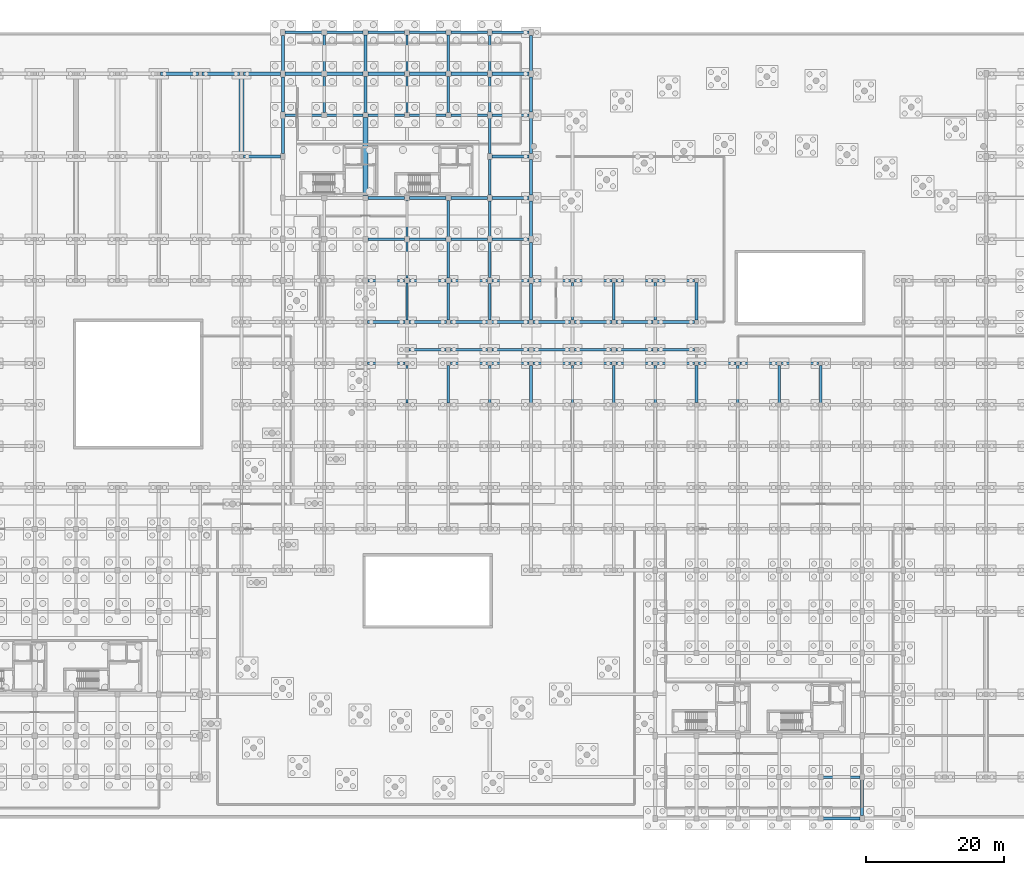
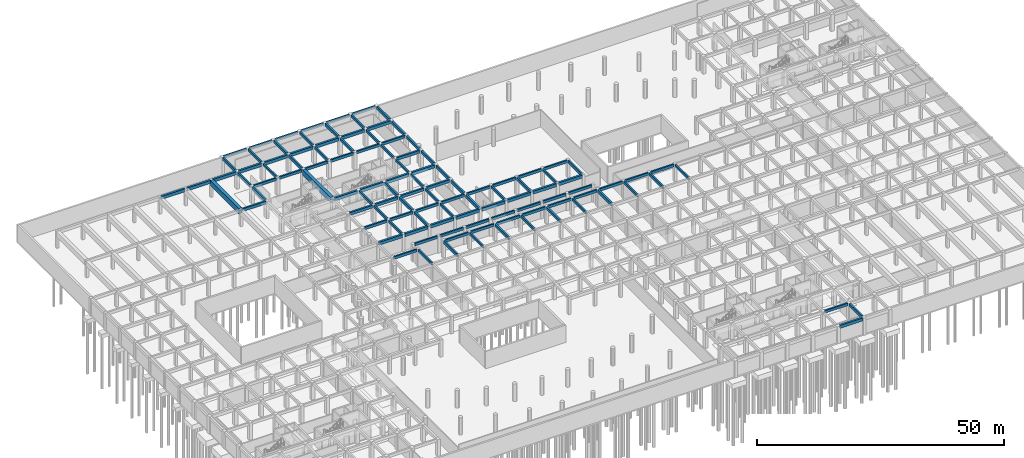
# One storey, part 19 of 41: 115 beams.
"""IFC4 building model written with IfcOpenShell, lengths in metres."""

from ifc_helpers import new_model, si_unit, direction, frame, origin, origin_2d, place, context, subcontext, project, spatial, rectangle, extrude, material, material_profile, profile_set, type_object, element, save


model = new_model("IFC4")

# Units and contexts
model_context = context("Model", 3, precision=1e-05, world=origin(), true_north=direction((0.0, 1.0)))
body_context = subcontext(model_context, "Body", "Model", "MODEL_VIEW")
ifc_project = project(units=[si_unit("LENGTHUNIT", "METRE"), si_unit("AREAUNIT", "SQUARE_METRE"), si_unit("VOLUMEUNIT", "CUBIC_METRE"), si_unit("PLANEANGLEUNIT", "RADIAN"), si_unit("MASSUNIT", "GRAM", prefix="KILO"), si_unit("POWERUNIT", "WATT"), si_unit("THERMODYNAMICTEMPERATUREUNIT", "KELVIN")], contexts=[model_context])

# Site, building, storey
site_placement = place(None, origin())
site = spatial("IfcSite", under=ifc_project, at=site_placement, CompositionType="ELEMENT")
building_placement = place(site_placement, origin())
building = spatial("IfcBuilding", under=site, at=building_placement, Name="Ruvembo Vaulted Housing Court", CompositionType="ELEMENT")
storey_placement = place(building_placement, frame((0.0, 0.0, -4.5)))
storey = spatial("IfcBuildingStorey", under=building, at=storey_placement, Name="B1", CompositionType="ELEMENT", Elevation=-4.5)

# Beams
ifc_material_1 = material(Name="Concrete C35/45", Category="concrete")
ifc_material_profile_1 = material_profile(ifc_material_1, rectangle(XDim=0.35009765625, YDim=0.60009765625, at=origin_2d()), Name="RC 350x600")
ifc_profile_set_1 = profile_set([ifc_material_profile_1], Name="Concrete C35/45")
beam_type_1 = type_object("IfcBeamType", Name="BM-RC-350x600", PredefinedType="BEAM", material=ifc_profile_set_1)
for number, where, z_axis, x_axis, name in (
    (1, (54.0, 102.360107421875, 3.9150390625), (0.0, 1.0, 0.0), (-1.0, 0.0, 0.0), "B1 Grid Beam Y #486"),
    (2, (54.0, 108.360107421875, 3.9150390625), (0.0, 1.0, 0.0), (-1.0, 0.0, 0.0), "B1 Grid Beam Y #487"),
):
    element("IfcBeam", number, at=place(storey_placement, frame(where, z_axis=z_axis, x_axis=x_axis)), inside=storey, type_object=beam_type_1, Name=name, PredefinedType="BEAM", context=body_context, shape_type="SweptSolid", body=[
        extrude(rectangle(XDim=0.35009765625, YDim=0.60009765625, at=origin_2d()), origin(), (0.0, 0.0, 1.0), 5.27978515625),
    ])
beam_1_placement = place(storey_placement, frame((66.0, 60.260009765625, 3.9150390625), z_axis=(0.0, 1.0, 0.0), x_axis=(-1.0, 0.0, 0.0)))
element("IfcBeam", 3, at=beam_1_placement, inside=storey, type_object=beam_type_1, Name="B1 Grid Beam Y #502", PredefinedType="BEAM", context=body_context, shape_type="SweptSolid", body=[
    extrude(rectangle(XDim=0.35009765625, YDim=0.60009765625, at=origin_2d()), origin(), (0.0, 0.0, 1.0), 5.455078125),
])
beam_2_placement = place(storey_placement, frame((66.0, 72.284912109375, 3.9150390625), z_axis=(0.0, 1.0, 0.0), x_axis=(-1.0, 0.0, 0.0)))
element("IfcBeam", 4, at=beam_2_placement, inside=storey, type_object=beam_type_1, Name="B1 Grid Beam Y #503", PredefinedType="BEAM", context=body_context, shape_type="SweptSolid", body=[
    extrude(rectangle(XDim=0.35009765625, YDim=0.60009765625, at=origin_2d()), origin(), (0.0, 0.0, 1.0), 5.35498046875),
])
for number, where, z_axis, x_axis, name in (
    (5, (66.0, 78.360107421875, 3.9150390625), (0.0, 1.0, 0.0), (-1.0, 0.0, 0.0), "B1 Grid Beam Y #504"),
    (6, (66.0, 84.360107421875, 3.9150390625), (0.0, 1.0, 0.0), (-1.0, 0.0, 0.0), "B1 Grid Beam Y #505"),
    (7, (66.0, 102.360107421875, 3.9150390625), (0.0, 1.0, 0.0), (-1.0, 0.0, 0.0), "B1 Grid Beam Y #506"),
    (8, (66.0, 108.360107421875, 3.9150390625), (0.0, 1.0, 0.0), (-1.0, 0.0, 0.0), "B1 Grid Beam Y #507"),
):
    element("IfcBeam", number, at=place(storey_placement, frame(where, z_axis=z_axis, x_axis=x_axis)), inside=storey, type_object=beam_type_1, Name=name, PredefinedType="BEAM", context=body_context, shape_type="SweptSolid", body=[
        extrude(rectangle(XDim=0.35009765625, YDim=0.60009765625, at=origin_2d()), origin(), (0.0, 0.0, 1.0), 5.27978515625),
    ])
beam_3_placement = place(storey_placement, frame((78.0, 60.284912109375, 3.9150390625), z_axis=(0.0, 1.0, 0.0), x_axis=(-1.0, 0.0, 0.0)))
element("IfcBeam", 9, at=beam_3_placement, inside=storey, type_object=beam_type_1, Name="B1 Grid Beam Y #520", PredefinedType="BEAM", context=body_context, shape_type="SweptSolid", body=[
    extrude(rectangle(XDim=0.35009765625, YDim=0.60009765625, at=origin_2d()), origin(), (0.0, 0.0, 1.0), 5.43017578125),
])
beam_4_placement = place(storey_placement, frame((78.0, 72.284912109375, 3.9150390625), z_axis=(0.0, 1.0, 0.0), x_axis=(-1.0, 0.0, 0.0)))
element("IfcBeam", 10, at=beam_4_placement, inside=storey, type_object=beam_type_1, Name="B1 Grid Beam Y #521", PredefinedType="BEAM", context=body_context, shape_type="SweptSolid", body=[
    extrude(rectangle(XDim=0.35009765625, YDim=0.60009765625, at=origin_2d()), origin(), (0.0, 0.0, 1.0), 5.280029296875),
])
for number, where, z_axis, x_axis, name in (
    (11, (78.0, 78.43505859375, 3.9150390625), (0.0, 1.0, 0.0), (-1.0, 0.0, 0.0), "B1 Grid Beam Y #522"),
    (12, (78.0, 84.43505859375, 3.9150390625), (0.0, 1.0, 0.0), (-1.0, 0.0, 0.0), "B1 Grid Beam Y #523"),
    (13, (78.0, 90.43505859375, 3.9150390625), (0.0, 1.0, 0.0), (-1.0, 0.0, 0.0), "B1 Grid Beam Y #524"),
    (14, (78.0, 96.43505859375, 3.9150390625), (0.0, 1.0, 0.0), (-1.0, 0.0, 0.0), "B1 Grid Beam Y #525"),
    (15, (78.0, 102.43505859375, 3.9150390625), (0.0, 1.0, 0.0), (-1.0, 0.0, 0.0), "B1 Grid Beam Y #526"),
    (16, (78.0, 108.43505859375, 3.9150390625), (0.0, 1.0, 0.0), (-1.0, 0.0, 0.0), "B1 Grid Beam Y #527"),
):
    element("IfcBeam", number, at=place(storey_placement, frame(where, z_axis=z_axis, x_axis=x_axis)), inside=storey, type_object=beam_type_1, Name=name, PredefinedType="BEAM", context=body_context, shape_type="SweptSolid", body=[
        extrude(rectangle(XDim=0.35009765625, YDim=0.60009765625, at=origin_2d()), origin(), (0.0, 0.0, 1.0), 5.1298828125),
    ])
for number, where, z_axis, x_axis, name in (
    (17, (90.0, 60.284912109375, 3.9150390625), (0.0, 1.0, 0.0), (-1.0, 0.0, 0.0), "B1 Grid Beam Y #544"),
    (18, (90.0, 72.284912109375, 3.9150390625), (0.0, 1.0, 0.0), (-1.0, 0.0, 0.0), "B1 Grid Beam Y #545"),
    (19, (102.0, 60.284912109375, 3.9150390625), (0.0, 1.0, 0.0), (-1.0, 0.0, 0.0), "B1 Grid Beam Y #562"),
    (20, (102.0, 72.284912109375, 3.9150390625), (0.0, 1.0, 0.0), (-1.0, 0.0, 0.0), "B1 Grid Beam Y #563"),
    (21, (114.0, 60.284912109375, 3.9150390625), (0.0, 1.0, 0.0), (-1.0, 0.0, 0.0), "B1 Grid Beam Y #583"),
    (22, (126.0, 60.284912109375, 3.9150390625), (0.0, 1.0, 0.0), (-1.0, 0.0, 0.0), "B1 Grid Beam Y #601"),
):
    element("IfcBeam", number, at=place(storey_placement, frame(where, z_axis=z_axis, x_axis=x_axis)), inside=storey, type_object=beam_type_1, Name=name, PredefinedType="BEAM", context=body_context, shape_type="SweptSolid", body=[
        extrude(rectangle(XDim=0.35009765625, YDim=0.60009765625, at=origin_2d()), origin(), (0.0, 0.0, 1.0), 5.43017578125),
    ])
ifc_material_profile_2 = material_profile(ifc_material_1, rectangle(XDim=0.35009765625, YDim=0.64990234375, at=origin_2d()), Name="RC 350x650")
ifc_profile_set_2 = profile_set([ifc_material_profile_2], Name="Concrete C35/45")
beam_type_2 = type_object("IfcBeamType", Name="BM-RC-350x650", PredefinedType="BEAM", material=ifc_profile_set_2)
beam_5_placement = place(storey_placement, frame((126.360107421875, 6.0, 3.889892578125), z_axis=(1.0, 0.0, 0.0), x_axis=(0.0, 1.0, 0.0)))
element("IfcBeam", 23, at=beam_5_placement, inside=storey, type_object=beam_type_2, Name="B1 Grid Beam X #17", PredefinedType="BEAM", context=body_context, shape_type="SweptSolid", body=[
    extrude(rectangle(XDim=0.35009765625, YDim=0.64990234375, at=origin_2d()), origin(), (0.0, 0.0, 1.0), 5.329833984375),
])
for number, where, z_axis, x_axis, name in (
    (24, (60.284912109375, 66.0, 3.889892578125), (1.0, 0.0, 0.0), (0.0, 1.0, 0.0), "B1 Grid Beam X #226"),
    (25, (72.284912109375, 66.0, 3.889892578125), (1.0, 0.0, 0.0), (0.0, 1.0, 0.0), "B1 Grid Beam X #227"),
    (26, (78.284912109375, 66.0, 3.889892578125), (1.0, 0.0, 0.0), (0.0, 1.0, 0.0), "B1 Grid Beam X #228"),
    (27, (84.284912109375, 66.0, 3.889892578125), (1.0, 0.0, 0.0), (0.0, 1.0, 0.0), "B1 Grid Beam X #229"),
    (28, (90.284912109375, 66.0, 3.889892578125), (1.0, 0.0, 0.0), (0.0, 1.0, 0.0), "B1 Grid Beam X #230"),
    (29, (96.284912109375, 66.0, 3.889892578125), (1.0, 0.0, 0.0), (0.0, 1.0, 0.0), "B1 Grid Beam X #231"),
    (30, (102.284912109375, 66.0, 3.889892578125), (1.0, 0.0, 0.0), (0.0, 1.0, 0.0), "B1 Grid Beam X #232"),
    (31, (108.284912109375, 66.0, 3.889892578125), (1.0, 0.0, 0.0), (0.0, 1.0, 0.0), "B1 Grid Beam X #233"),
    (32, (114.284912109375, 66.0, 3.889892578125), (1.0, 0.0, 0.0), (0.0, 1.0, 0.0), "B1 Grid Beam X #234"),
    (33, (120.284912109375, 66.0, 3.889892578125), (1.0, 0.0, 0.0), (0.0, 1.0, 0.0), "B1 Grid Beam X #235"),
):
    element("IfcBeam", number, at=place(storey_placement, frame(where, z_axis=z_axis, x_axis=x_axis)), inside=storey, type_object=beam_type_2, Name=name, PredefinedType="BEAM", context=body_context, shape_type="SweptSolid", body=[
        extrude(rectangle(XDim=0.35009765625, YDim=0.64990234375, at=origin_2d()), origin(), (0.0, 0.0, 1.0), 5.43017578125),
    ])
for number, where, z_axis, x_axis, name in (
    (34, (66.31005859375, 68.0, 3.889892578125), (1.0, 0.0, 0.0), (0.0, 1.0, 0.0), "B1 Grid Beam X #246"),
    (35, (72.31005859375, 68.0, 3.889892578125), (1.0, 0.0, 0.0), (0.0, 1.0, 0.0), "B1 Grid Beam X #247"),
    (36, (78.31005859375, 68.0, 3.889892578125), (1.0, 0.0, 0.0), (0.0, 1.0, 0.0), "B1 Grid Beam X #248"),
    (37, (84.31005859375, 68.0, 3.889892578125), (1.0, 0.0, 0.0), (0.0, 1.0, 0.0), "B1 Grid Beam X #249"),
    (38, (90.31005859375, 68.0, 3.889892578125), (1.0, 0.0, 0.0), (0.0, 1.0, 0.0), "B1 Grid Beam X #250"),
    (39, (96.31005859375, 68.0, 3.889892578125), (1.0, 0.0, 0.0), (0.0, 1.0, 0.0), "B1 Grid Beam X #251"),
    (40, (102.31005859375, 68.0, 3.889892578125), (1.0, 0.0, 0.0), (0.0, 1.0, 0.0), "B1 Grid Beam X #252"),
):
    element("IfcBeam", number, at=place(storey_placement, frame(where, z_axis=z_axis, x_axis=x_axis)), inside=storey, type_object=beam_type_2, Name=name, PredefinedType="BEAM", context=body_context, shape_type="SweptSolid", body=[
        extrude(rectangle(XDim=0.35009765625, YDim=0.64990234375, at=origin_2d()), origin(), (0.0, 0.0, 1.0), 5.3798828125),
    ])
for number, where, z_axis, x_axis, name in (
    (41, (60.360107421875, 78.0, 3.889892578125), (1.0, 0.0, 0.0), (0.0, 1.0, 0.0), "B1 Grid Beam X #284"),
    (42, (66.360107421875, 78.0, 3.889892578125), (1.0, 0.0, 0.0), (0.0, 1.0, 0.0), "B1 Grid Beam X #285"),
):
    element("IfcBeam", number, at=place(storey_placement, frame(where, z_axis=z_axis, x_axis=x_axis)), inside=storey, type_object=beam_type_2, Name=name, PredefinedType="BEAM", context=body_context, shape_type="SweptSolid", body=[
        extrude(rectangle(XDim=0.35009765625, YDim=0.64990234375, at=origin_2d()), origin(), (0.0, 0.0, 1.0), 5.27978515625),
    ])
beam_6_placement = place(storey_placement, frame((72.360107421875, 78.0, 3.889892578125), z_axis=(1.0, 0.0, 0.0), x_axis=(0.0, 1.0, 0.0)))
element("IfcBeam", 43, at=beam_6_placement, inside=storey, type_object=beam_type_2, Name="B1 Grid Beam X #286", PredefinedType="BEAM", context=body_context, shape_type="SweptSolid", body=[
    extrude(rectangle(XDim=0.35009765625, YDim=0.64990234375, at=origin_2d()), origin(), (0.0, 0.0, 1.0), 5.329833984375),
])
beam_7_placement = place(storey_placement, frame((78.31005859375, 78.0, 3.889892578125), z_axis=(1.0, 0.0, 0.0), x_axis=(0.0, 1.0, 0.0)))
element("IfcBeam", 44, at=beam_7_placement, inside=storey, type_object=beam_type_2, Name="B1 Grid Beam X #287", PredefinedType="BEAM", context=body_context, shape_type="SweptSolid", body=[
    extrude(rectangle(XDim=0.35009765625, YDim=0.64990234375, at=origin_2d()), origin(), (0.0, 0.0, 1.0), 5.3798828125),
])
beam_8_placement = place(storey_placement, frame((84.31005859375, 78.0, 3.889892578125), z_axis=(1.0, 0.0, 0.0), x_axis=(0.0, 1.0, 0.0)))
element("IfcBeam", 45, at=beam_8_placement, inside=storey, type_object=beam_type_2, Name="B1 Grid Beam X #288", PredefinedType="BEAM", context=body_context, shape_type="SweptSolid", body=[
    extrude(rectangle(XDim=0.35009765625, YDim=0.64990234375, at=origin_2d()), origin(), (0.0, 0.0, 1.0), 5.405029296875),
])
for number, where, z_axis, x_axis, name in (
    (46, (90.284912109375, 78.0, 3.889892578125), (1.0, 0.0, 0.0), (0.0, 1.0, 0.0), "B1 Grid Beam X #289"),
    (47, (96.284912109375, 78.0, 3.889892578125), (1.0, 0.0, 0.0), (0.0, 1.0, 0.0), "B1 Grid Beam X #290"),
    (48, (102.284912109375, 78.0, 3.889892578125), (1.0, 0.0, 0.0), (0.0, 1.0, 0.0), "B1 Grid Beam X #291"),
):
    element("IfcBeam", number, at=place(storey_placement, frame(where, z_axis=z_axis, x_axis=x_axis)), inside=storey, type_object=beam_type_2, Name=name, PredefinedType="BEAM", context=body_context, shape_type="SweptSolid", body=[
        extrude(rectangle(XDim=0.35009765625, YDim=0.64990234375, at=origin_2d()), origin(), (0.0, 0.0, 1.0), 5.43017578125),
    ])
beam_9_placement = place(storey_placement, frame((48.31005859375, 102.0, 3.889892578125), z_axis=(1.0, 0.0, 0.0), x_axis=(0.0, 1.0, 0.0)))
element("IfcBeam", 49, at=beam_9_placement, inside=storey, type_object=beam_type_2, Name="B1 Grid Beam X #341", PredefinedType="BEAM", context=body_context, shape_type="SweptSolid", body=[
    extrude(rectangle(XDim=0.35009765625, YDim=0.64990234375, at=origin_2d()), origin(), (0.0, 0.0, 1.0), 5.329833984375),
])
for number, where, z_axis, x_axis, name in (
    (50, (54.360107421875, 102.0, 3.889892578125), (1.0, 0.0, 0.0), (0.0, 1.0, 0.0), "B1 Grid Beam X #342"),
    (51, (60.360107421875, 102.0, 3.889892578125), (1.0, 0.0, 0.0), (0.0, 1.0, 0.0), "B1 Grid Beam X #343"),
    (52, (66.360107421875, 102.0, 3.889892578125), (1.0, 0.0, 0.0), (0.0, 1.0, 0.0), "B1 Grid Beam X #344"),
):
    element("IfcBeam", number, at=place(storey_placement, frame(where, z_axis=z_axis, x_axis=x_axis)), inside=storey, type_object=beam_type_2, Name=name, PredefinedType="BEAM", context=body_context, shape_type="SweptSolid", body=[
        extrude(rectangle(XDim=0.35009765625, YDim=0.64990234375, at=origin_2d()), origin(), (0.0, 0.0, 1.0), 5.27978515625),
    ])
beam_10_placement = place(storey_placement, frame((72.360107421875, 102.0, 3.889892578125), z_axis=(1.0, 0.0, 0.0), x_axis=(0.0, 1.0, 0.0)))
element("IfcBeam", 53, at=beam_10_placement, inside=storey, type_object=beam_type_2, Name="B1 Grid Beam X #345", PredefinedType="BEAM", context=body_context, shape_type="SweptSolid", body=[
    extrude(rectangle(XDim=0.35009765625, YDim=0.64990234375, at=origin_2d()), origin(), (0.0, 0.0, 1.0), 5.329833984375),
])
beam_11_placement = place(storey_placement, frame((78.31005859375, 102.0, 3.889892578125), z_axis=(1.0, 0.0, 0.0), x_axis=(0.0, 1.0, 0.0)))
element("IfcBeam", 54, at=beam_11_placement, inside=storey, type_object=beam_type_2, Name="B1 Grid Beam X #346", PredefinedType="BEAM", context=body_context, shape_type="SweptSolid", body=[
    extrude(rectangle(XDim=0.35009765625, YDim=0.64990234375, at=origin_2d()), origin(), (0.0, 0.0, 1.0), 5.3798828125),
])
beam_12_placement = place(storey_placement, frame((48.31005859375, 114.0, 3.889892578125), z_axis=(1.0, 0.0, 0.0), x_axis=(0.0, 1.0, 0.0)))
element("IfcBeam", 55, at=beam_12_placement, inside=storey, type_object=beam_type_2, Name="B1 Grid Beam X #372", PredefinedType="BEAM", context=body_context, shape_type="SweptSolid", body=[
    extrude(rectangle(XDim=0.35009765625, YDim=0.64990234375, at=origin_2d()), origin(), (0.0, 0.0, 1.0), 5.329833984375),
])
for number, where, z_axis, x_axis, name in (
    (56, (54.360107421875, 114.0, 3.889892578125), (1.0, 0.0, 0.0), (0.0, 1.0, 0.0), "B1 Grid Beam X #373"),
    (57, (60.360107421875, 114.0, 3.889892578125), (1.0, 0.0, 0.0), (0.0, 1.0, 0.0), "B1 Grid Beam X #374"),
    (58, (66.360107421875, 114.0, 3.889892578125), (1.0, 0.0, 0.0), (0.0, 1.0, 0.0), "B1 Grid Beam X #375"),
):
    element("IfcBeam", number, at=place(storey_placement, frame(where, z_axis=z_axis, x_axis=x_axis)), inside=storey, type_object=beam_type_2, Name=name, PredefinedType="BEAM", context=body_context, shape_type="SweptSolid", body=[
        extrude(rectangle(XDim=0.35009765625, YDim=0.64990234375, at=origin_2d()), origin(), (0.0, 0.0, 1.0), 5.27978515625),
    ])
beam_13_placement = place(storey_placement, frame((72.360107421875, 114.0, 3.889892578125), z_axis=(1.0, 0.0, 0.0), x_axis=(0.0, 1.0, 0.0)))
element("IfcBeam", 59, at=beam_13_placement, inside=storey, type_object=beam_type_2, Name="B1 Grid Beam X #376", PredefinedType="BEAM", context=body_context, shape_type="SweptSolid", body=[
    extrude(rectangle(XDim=0.35009765625, YDim=0.64990234375, at=origin_2d()), origin(), (0.0, 0.0, 1.0), 5.329833984375),
])
beam_14_placement = place(storey_placement, frame((78.31005859375, 114.0, 3.889892578125), z_axis=(1.0, 0.0, 0.0), x_axis=(0.0, 1.0, 0.0)))
element("IfcBeam", 60, at=beam_14_placement, inside=storey, type_object=beam_type_2, Name="B1 Grid Beam X #377", PredefinedType="BEAM", context=body_context, shape_type="SweptSolid", body=[
    extrude(rectangle(XDim=0.35009765625, YDim=0.64990234375, at=origin_2d()), origin(), (0.0, 0.0, 1.0), 5.3798828125),
])
ifc_material_profile_3 = material_profile(ifc_material_1, rectangle(XDim=0.39990234375, YDim=0.699951171875, at=origin_2d()), Name="RC 400x700")
ifc_profile_set_3 = profile_set([ifc_material_profile_3], Name="Concrete C35/45")
beam_type_3 = type_object("IfcBeamType", Name="BM-RC-400x700", PredefinedType="BEAM", material=ifc_profile_set_3)
for number, where, z_axis, x_axis, name in (
    (61, (60.360107421875, 84.0, 3.864990234375), (1.0, 0.0, 0.0), (0.0, 1.0, 0.0), "B1 Grid Beam X #310"),
    (62, (66.360107421875, 84.0, 3.864990234375), (1.0, 0.0, 0.0), (0.0, 1.0, 0.0), "B1 Grid Beam X #311"),
):
    element("IfcBeam", number, at=place(storey_placement, frame(where, z_axis=z_axis, x_axis=x_axis)), inside=storey, type_object=beam_type_3, Name=name, PredefinedType="BEAM", context=body_context, shape_type="SweptSolid", body=[
        extrude(rectangle(XDim=0.39990234375, YDim=0.699951171875, at=origin_2d()), origin(), (0.0, 0.0, 1.0), 5.27978515625),
    ])
beam_15_placement = place(storey_placement, frame((72.360107421875, 84.0, 3.864990234375), z_axis=(1.0, 0.0, 0.0), x_axis=(0.0, 1.0, 0.0)))
element("IfcBeam", 63, at=beam_15_placement, inside=storey, type_object=beam_type_3, Name="B1 Grid Beam X #312", PredefinedType="BEAM", context=body_context, shape_type="SweptSolid", body=[
    extrude(rectangle(XDim=0.39990234375, YDim=0.699951171875, at=origin_2d()), origin(), (0.0, 0.0, 1.0), 5.329833984375),
])
beam_16_placement = place(storey_placement, frame((78.31005859375, 84.0, 3.864990234375), z_axis=(1.0, 0.0, 0.0), x_axis=(0.0, 1.0, 0.0)))
element("IfcBeam", 64, at=beam_16_placement, inside=storey, type_object=beam_type_3, Name="B1 Grid Beam X #313", PredefinedType="BEAM", context=body_context, shape_type="SweptSolid", body=[
    extrude(rectangle(XDim=0.39990234375, YDim=0.699951171875, at=origin_2d()), origin(), (0.0, 0.0, 1.0), 5.3798828125),
])
beam_17_placement = place(storey_placement, frame((42.260009765625, 96.0, 3.864990234375), z_axis=(1.0, 0.0, 0.0), x_axis=(0.0, 1.0, 0.0)))
element("IfcBeam", 65, at=beam_17_placement, inside=storey, type_object=beam_type_3, Name="B1 Grid Beam X #333", PredefinedType="BEAM", context=body_context, shape_type="SweptSolid", body=[
    extrude(rectangle(XDim=0.39990234375, YDim=0.699951171875, at=origin_2d()), origin(), (0.0, 0.0, 1.0), 5.429931640625),
])
beam_18_placement = place(storey_placement, frame((78.31005859375, 96.0, 3.864990234375), z_axis=(1.0, 0.0, 0.0), x_axis=(0.0, 1.0, 0.0)))
element("IfcBeam", 66, at=beam_18_placement, inside=storey, type_object=beam_type_3, Name="B1 Grid Beam X #334", PredefinedType="BEAM", context=body_context, shape_type="SweptSolid", body=[
    extrude(rectangle(XDim=0.39990234375, YDim=0.699951171875, at=origin_2d()), origin(), (0.0, 0.0, 1.0), 5.3798828125),
])
for number, where, z_axis, x_axis, name in (
    (67, (48.0, 96.43505859375, 3.864990234375), (0.0, 1.0, 0.0), (-1.0, 0.0, 0.0), "B1 Grid Beam Y #474"),
    (68, (48.0, 102.43505859375, 3.864990234375), (0.0, 1.0, 0.0), (-1.0, 0.0, 0.0), "B1 Grid Beam Y #475"),
    (69, (48.0, 108.43505859375, 3.864990234375), (0.0, 1.0, 0.0), (-1.0, 0.0, 0.0), "B1 Grid Beam Y #476"),
):
    element("IfcBeam", number, at=place(storey_placement, frame(where, z_axis=z_axis, x_axis=x_axis)), inside=storey, type_object=beam_type_3, Name=name, PredefinedType="BEAM", context=body_context, shape_type="SweptSolid", body=[
        extrude(rectangle(XDim=0.39990234375, YDim=0.699951171875, at=origin_2d()), origin(), (0.0, 0.0, 1.0), 5.1298828125),
    ])
for number, where, z_axis, x_axis, name in (
    (70, (60.0, 102.360107421875, 3.864990234375), (0.0, 1.0, 0.0), (-1.0, 0.0, 0.0), "B1 Grid Beam Y #497"),
    (71, (60.0, 108.360107421875, 3.864990234375), (0.0, 1.0, 0.0), (-1.0, 0.0, 0.0), "B1 Grid Beam Y #498"),
):
    element("IfcBeam", number, at=place(storey_placement, frame(where, z_axis=z_axis, x_axis=x_axis)), inside=storey, type_object=beam_type_3, Name=name, PredefinedType="BEAM", context=body_context, shape_type="SweptSolid", body=[
        extrude(rectangle(XDim=0.39990234375, YDim=0.699951171875, at=origin_2d()), origin(), (0.0, 0.0, 1.0), 5.27978515625),
    ])
beam_19_placement = place(storey_placement, frame((72.0, 60.260009765625, 3.864990234375), z_axis=(0.0, 1.0, 0.0), x_axis=(-1.0, 0.0, 0.0)))
element("IfcBeam", 72, at=beam_19_placement, inside=storey, type_object=beam_type_3, Name="B1 Grid Beam Y #511", PredefinedType="BEAM", context=body_context, shape_type="SweptSolid", body=[
    extrude(rectangle(XDim=0.39990234375, YDim=0.699951171875, at=origin_2d()), origin(), (0.0, 0.0, 1.0), 5.455078125),
])
beam_20_placement = place(storey_placement, frame((72.0, 72.284912109375, 3.864990234375), z_axis=(0.0, 1.0, 0.0), x_axis=(-1.0, 0.0, 0.0)))
element("IfcBeam", 73, at=beam_20_placement, inside=storey, type_object=beam_type_3, Name="B1 Grid Beam Y #512", PredefinedType="BEAM", context=body_context, shape_type="SweptSolid", body=[
    extrude(rectangle(XDim=0.39990234375, YDim=0.699951171875, at=origin_2d()), origin(), (0.0, 0.0, 1.0), 5.35498046875),
])
for number, where, z_axis, x_axis, name in (
    (74, (72.0, 78.360107421875, 3.864990234375), (0.0, 1.0, 0.0), (-1.0, 0.0, 0.0), "B1 Grid Beam Y #513"),
    (75, (72.0, 84.360107421875, 3.864990234375), (0.0, 1.0, 0.0), (-1.0, 0.0, 0.0), "B1 Grid Beam Y #514"),
    (76, (72.0, 102.360107421875, 3.864990234375), (0.0, 1.0, 0.0), (-1.0, 0.0, 0.0), "B1 Grid Beam Y #515"),
    (77, (72.0, 108.360107421875, 3.864990234375), (0.0, 1.0, 0.0), (-1.0, 0.0, 0.0), "B1 Grid Beam Y #516"),
):
    element("IfcBeam", number, at=place(storey_placement, frame(where, z_axis=z_axis, x_axis=x_axis)), inside=storey, type_object=beam_type_3, Name=name, PredefinedType="BEAM", context=body_context, shape_type="SweptSolid", body=[
        extrude(rectangle(XDim=0.39990234375, YDim=0.699951171875, at=origin_2d()), origin(), (0.0, 0.0, 1.0), 5.27978515625),
    ])
beam_21_placement = place(storey_placement, frame((84.0, 60.284912109375, 3.864990234375), z_axis=(0.0, 1.0, 0.0), x_axis=(-1.0, 0.0, 0.0)))
element("IfcBeam", 78, at=beam_21_placement, inside=storey, type_object=beam_type_3, Name="B1 Grid Beam Y #532", PredefinedType="BEAM", context=body_context, shape_type="SweptSolid", body=[
    extrude(rectangle(XDim=0.39990234375, YDim=0.699951171875, at=origin_2d()), origin(), (0.0, 0.0, 1.0), 5.43017578125),
])
beam_22_placement = place(storey_placement, frame((84.0, 72.284912109375, 3.864990234375), z_axis=(0.0, 1.0, 0.0), x_axis=(-1.0, 0.0, 0.0)))
element("IfcBeam", 79, at=beam_22_placement, inside=storey, type_object=beam_type_3, Name="B1 Grid Beam Y #533", PredefinedType="BEAM", context=body_context, shape_type="SweptSolid", body=[
    extrude(rectangle(XDim=0.39990234375, YDim=0.699951171875, at=origin_2d()), origin(), (0.0, 0.0, 1.0), 5.280029296875),
])
for number, where, z_axis, x_axis, name in (
    (80, (84.0, 78.43505859375, 3.864990234375), (0.0, 1.0, 0.0), (-1.0, 0.0, 0.0), "B1 Grid Beam Y #534"),
    (81, (84.0, 84.43505859375, 3.864990234375), (0.0, 1.0, 0.0), (-1.0, 0.0, 0.0), "B1 Grid Beam Y #535"),
    (82, (84.0, 90.43505859375, 3.864990234375), (0.0, 1.0, 0.0), (-1.0, 0.0, 0.0), "B1 Grid Beam Y #536"),
    (83, (84.0, 96.43505859375, 3.864990234375), (0.0, 1.0, 0.0), (-1.0, 0.0, 0.0), "B1 Grid Beam Y #537"),
    (84, (84.0, 102.43505859375, 3.864990234375), (0.0, 1.0, 0.0), (-1.0, 0.0, 0.0), "B1 Grid Beam Y #538"),
    (85, (84.0, 108.43505859375, 3.864990234375), (0.0, 1.0, 0.0), (-1.0, 0.0, 0.0), "B1 Grid Beam Y #539"),
):
    element("IfcBeam", number, at=place(storey_placement, frame(where, z_axis=z_axis, x_axis=x_axis)), inside=storey, type_object=beam_type_3, Name=name, PredefinedType="BEAM", context=body_context, shape_type="SweptSolid", body=[
        extrude(rectangle(XDim=0.39990234375, YDim=0.699951171875, at=origin_2d()), origin(), (0.0, 0.0, 1.0), 5.1298828125),
    ])
for number, where, z_axis, x_axis, name in (
    (86, (96.0, 60.284912109375, 3.864990234375), (0.0, 1.0, 0.0), (-1.0, 0.0, 0.0), "B1 Grid Beam Y #550"),
    (87, (96.0, 72.284912109375, 3.864990234375), (0.0, 1.0, 0.0), (-1.0, 0.0, 0.0), "B1 Grid Beam Y #551"),
):
    element("IfcBeam", number, at=place(storey_placement, frame(where, z_axis=z_axis, x_axis=x_axis)), inside=storey, type_object=beam_type_3, Name=name, PredefinedType="BEAM", context=body_context, shape_type="SweptSolid", body=[
        extrude(rectangle(XDim=0.39990234375, YDim=0.699951171875, at=origin_2d()), origin(), (0.0, 0.0, 1.0), 5.43017578125),
    ])
beam_23_placement = place(storey_placement, frame((108.0, 60.31005859375, 3.864990234375), z_axis=(0.0, 1.0, 0.0), x_axis=(-1.0, 0.0, 0.0)))
element("IfcBeam", 88, at=beam_23_placement, inside=storey, type_object=beam_type_3, Name="B1 Grid Beam Y #572", PredefinedType="BEAM", context=body_context, shape_type="SweptSolid", body=[
    extrude(rectangle(XDim=0.39990234375, YDim=0.699951171875, at=origin_2d()), origin(), (0.0, 0.0, 1.0), 5.405029296875),
])
for number, where, z_axis, x_axis, name in (
    (89, (108.0, 72.284912109375, 3.864990234375), (0.0, 1.0, 0.0), (-1.0, 0.0, 0.0), "B1 Grid Beam Y #573"),
    (90, (120.0, 60.284912109375, 3.864990234375), (0.0, 1.0, 0.0), (-1.0, 0.0, 0.0), "B1 Grid Beam Y #592"),
):
    element("IfcBeam", number, at=place(storey_placement, frame(where, z_axis=z_axis, x_axis=x_axis)), inside=storey, type_object=beam_type_3, Name=name, PredefinedType="BEAM", context=body_context, shape_type="SweptSolid", body=[
        extrude(rectangle(XDim=0.39990234375, YDim=0.699951171875, at=origin_2d()), origin(), (0.0, 0.0, 1.0), 5.43017578125),
    ])
beam_24_placement = place(storey_placement, frame((132.0, 0.43505859375, 3.864990234375), z_axis=(0.0, 1.0, 0.0), x_axis=(-1.0, 0.0, 0.0)))
element("IfcBeam", 91, at=beam_24_placement, inside=storey, type_object=beam_type_3, Name="B1 Grid Beam Y #602", PredefinedType="BEAM", context=body_context, shape_type="SweptSolid", body=[
    extrude(rectangle(XDim=0.39990234375, YDim=0.699951171875, at=origin_2d()), origin(), (0.0, 0.0, 1.0), 5.1298828125),
])
ifc_material_profile_4 = material_profile(ifc_material_1, rectangle(XDim=0.449951171875, YDim=0.75, at=origin_2d()), Name="RC 450x750")
ifc_profile_set_4 = profile_set([ifc_material_profile_4], Name="Concrete C35/45")
beam_type_4 = type_object("IfcBeamType", Name="BM-RC-450x750", PredefinedType="BEAM", material=ifc_profile_set_4)
beam_25_placement = place(storey_placement, frame((126.360107421875, 0.0, 3.840087890625), z_axis=(1.0, 0.0, 0.0), x_axis=(0.0, 1.0, 0.0)))
element("IfcBeam", 92, at=beam_25_placement, inside=storey, type_object=beam_type_4, Name="B1 Grid Beam X #5", PredefinedType="BEAM", context=body_context, shape_type="SweptSolid", body=[
    extrude(rectangle(XDim=0.449951171875, YDim=0.75, at=origin_2d()), origin(), (0.0, 0.0, 1.0), 5.329833984375),
])
for number, where, z_axis, x_axis, name in (
    (93, (60.284912109375, 72.0, 3.840087890625), (1.0, 0.0, 0.0), (0.0, 1.0, 0.0), "B1 Grid Beam X #258"),
    (94, (66.284912109375, 72.0, 3.840087890625), (1.0, 0.0, 0.0), (0.0, 1.0, 0.0), "B1 Grid Beam X #259"),
    (95, (72.284912109375, 72.0, 3.840087890625), (1.0, 0.0, 0.0), (0.0, 1.0, 0.0), "B1 Grid Beam X #260"),
    (96, (78.284912109375, 72.0, 3.840087890625), (1.0, 0.0, 0.0), (0.0, 1.0, 0.0), "B1 Grid Beam X #261"),
    (97, (84.284912109375, 72.0, 3.840087890625), (1.0, 0.0, 0.0), (0.0, 1.0, 0.0), "B1 Grid Beam X #262"),
    (98, (90.284912109375, 72.0, 3.840087890625), (1.0, 0.0, 0.0), (0.0, 1.0, 0.0), "B1 Grid Beam X #263"),
    (99, (96.284912109375, 72.0, 3.840087890625), (1.0, 0.0, 0.0), (0.0, 1.0, 0.0), "B1 Grid Beam X #264"),
    (100, (102.284912109375, 72.0, 3.840087890625), (1.0, 0.0, 0.0), (0.0, 1.0, 0.0), "B1 Grid Beam X #265"),
):
    element("IfcBeam", number, at=place(storey_placement, frame(where, z_axis=z_axis, x_axis=x_axis)), inside=storey, type_object=beam_type_4, Name=name, PredefinedType="BEAM", context=body_context, shape_type="SweptSolid", body=[
        extrude(rectangle(XDim=0.449951171875, YDim=0.75, at=origin_2d()), origin(), (0.0, 0.0, 1.0), 5.43017578125),
    ])
for number, where, z_axis, x_axis, name in (
    (101, (60.360107421875, 90.0, 3.840087890625), (1.0, 0.0, 0.0), (0.0, 1.0, 0.0), "B1 Grid Beam X #322"),
    (102, (66.360107421875, 90.0, 3.840087890625), (1.0, 0.0, 0.0), (0.0, 1.0, 0.0), "B1 Grid Beam X #323"),
):
    element("IfcBeam", number, at=place(storey_placement, frame(where, z_axis=z_axis, x_axis=x_axis)), inside=storey, type_object=beam_type_4, Name=name, PredefinedType="BEAM", context=body_context, shape_type="SweptSolid", body=[
        extrude(rectangle(XDim=0.449951171875, YDim=0.75, at=origin_2d()), origin(), (0.0, 0.0, 1.0), 5.27978515625),
    ])
beam_26_placement = place(storey_placement, frame((72.360107421875, 90.0, 3.840087890625), z_axis=(1.0, 0.0, 0.0), x_axis=(0.0, 1.0, 0.0)))
element("IfcBeam", 103, at=beam_26_placement, inside=storey, type_object=beam_type_4, Name="B1 Grid Beam X #324", PredefinedType="BEAM", context=body_context, shape_type="SweptSolid", body=[
    extrude(rectangle(XDim=0.449951171875, YDim=0.75, at=origin_2d()), origin(), (0.0, 0.0, 1.0), 5.329833984375),
])
beam_27_placement = place(storey_placement, frame((78.31005859375, 90.0, 3.840087890625), z_axis=(1.0, 0.0, 0.0), x_axis=(0.0, 1.0, 0.0)))
element("IfcBeam", 104, at=beam_27_placement, inside=storey, type_object=beam_type_4, Name="B1 Grid Beam X #325", PredefinedType="BEAM", context=body_context, shape_type="SweptSolid", body=[
    extrude(rectangle(XDim=0.449951171875, YDim=0.75, at=origin_2d()), origin(), (0.0, 0.0, 1.0), 5.3798828125),
])
for number, where, z_axis, x_axis, name in (
    (105, (30.260009765625, 108.0, 3.840087890625), (1.0, 0.0, 0.0), (0.0, 1.0, 0.0), "B1 Grid Beam X #357"),
    (106, (36.260009765625, 108.0, 3.840087890625), (1.0, 0.0, 0.0), (0.0, 1.0, 0.0), "B1 Grid Beam X #358"),
):
    element("IfcBeam", number, at=place(storey_placement, frame(where, z_axis=z_axis, x_axis=x_axis)), inside=storey, type_object=beam_type_4, Name=name, PredefinedType="BEAM", context=body_context, shape_type="SweptSolid", body=[
        extrude(rectangle(XDim=0.449951171875, YDim=0.75, at=origin_2d()), origin(), (0.0, 0.0, 1.0), 5.47998046875),
    ])
beam_28_placement = place(storey_placement, frame((42.260009765625, 108.0, 3.840087890625), z_axis=(1.0, 0.0, 0.0), x_axis=(0.0, 1.0, 0.0)))
element("IfcBeam", 107, at=beam_28_placement, inside=storey, type_object=beam_type_4, Name="B1 Grid Beam X #359", PredefinedType="BEAM", context=body_context, shape_type="SweptSolid", body=[
    extrude(rectangle(XDim=0.449951171875, YDim=0.75, at=origin_2d()), origin(), (0.0, 0.0, 1.0), 5.429931640625),
])
beam_29_placement = place(storey_placement, frame((48.31005859375, 108.0, 3.840087890625), z_axis=(1.0, 0.0, 0.0), x_axis=(0.0, 1.0, 0.0)))
element("IfcBeam", 108, at=beam_29_placement, inside=storey, type_object=beam_type_4, Name="B1 Grid Beam X #360", PredefinedType="BEAM", context=body_context, shape_type="SweptSolid", body=[
    extrude(rectangle(XDim=0.449951171875, YDim=0.75, at=origin_2d()), origin(), (0.0, 0.0, 1.0), 5.329833984375),
])
for number, where, z_axis, x_axis, name in (
    (109, (54.360107421875, 108.0, 3.840087890625), (1.0, 0.0, 0.0), (0.0, 1.0, 0.0), "B1 Grid Beam X #361"),
    (110, (60.360107421875, 108.0, 3.840087890625), (1.0, 0.0, 0.0), (0.0, 1.0, 0.0), "B1 Grid Beam X #362"),
    (111, (66.360107421875, 108.0, 3.840087890625), (1.0, 0.0, 0.0), (0.0, 1.0, 0.0), "B1 Grid Beam X #363"),
):
    element("IfcBeam", number, at=place(storey_placement, frame(where, z_axis=z_axis, x_axis=x_axis)), inside=storey, type_object=beam_type_4, Name=name, PredefinedType="BEAM", context=body_context, shape_type="SweptSolid", body=[
        extrude(rectangle(XDim=0.449951171875, YDim=0.75, at=origin_2d()), origin(), (0.0, 0.0, 1.0), 5.27978515625),
    ])
beam_30_placement = place(storey_placement, frame((72.360107421875, 108.0, 3.840087890625), z_axis=(1.0, 0.0, 0.0), x_axis=(0.0, 1.0, 0.0)))
element("IfcBeam", 112, at=beam_30_placement, inside=storey, type_object=beam_type_4, Name="B1 Grid Beam X #364", PredefinedType="BEAM", context=body_context, shape_type="SweptSolid", body=[
    extrude(rectangle(XDim=0.449951171875, YDim=0.75, at=origin_2d()), origin(), (0.0, 0.0, 1.0), 5.329833984375),
])
beam_31_placement = place(storey_placement, frame((78.31005859375, 108.0, 3.840087890625), z_axis=(1.0, 0.0, 0.0), x_axis=(0.0, 1.0, 0.0)))
element("IfcBeam", 113, at=beam_31_placement, inside=storey, type_object=beam_type_4, Name="B1 Grid Beam X #365", PredefinedType="BEAM", context=body_context, shape_type="SweptSolid", body=[
    extrude(rectangle(XDim=0.449951171875, YDim=0.75, at=origin_2d()), origin(), (0.0, 0.0, 1.0), 5.3798828125),
])
ifc_material_2 = material(Name="Concrete C40/50", Category="concrete")
ifc_material_profile_5 = material_profile(ifc_material_2, rectangle(XDim=0.75, YDim=1.300048828125, at=origin_2d()), Name="RC 750x1300")
ifc_profile_set_5 = profile_set([ifc_material_profile_5], Name="Concrete C40/50")
beam_type_5 = type_object("IfcBeamType", Name="TB-RC-750x1300", PredefinedType="BEAM", material=ifc_profile_set_5)
beam_32_placement = place(storey_placement, frame((42.0, 96.260009765625, 3.56494140625), z_axis=(0.0, 1.0, 0.0), x_axis=(-1.0, 0.0, 0.0)))
element("IfcBeam", 114, at=beam_32_placement, inside=storey, type_object=beam_type_5, Name="B1 Grid Beam Y #463", PredefinedType="BEAM", context=body_context, shape_type="SweptSolid", body=[
    extrude(rectangle(XDim=0.75, YDim=1.300048828125, at=origin_2d()), origin(), (0.0, 0.0, 1.0), 11.47998046875),
])
beam_33_placement = place(storey_placement, frame((60.0, 90.360107421875, 3.56494140625), z_axis=(0.0, 1.0, 0.0), x_axis=(-1.0, 0.0, 0.0)))
element("IfcBeam", 115, at=beam_33_placement, inside=storey, type_object=beam_type_5, Name="B1 Grid Beam Y #496", PredefinedType="BEAM", context=body_context, shape_type="SweptSolid", body=[
    extrude(rectangle(XDim=0.75, YDim=1.300048828125, at=origin_2d()), origin(), (0.0, 0.0, 1.0), 11.27978515625),
])

save(model, "model.ifc")
